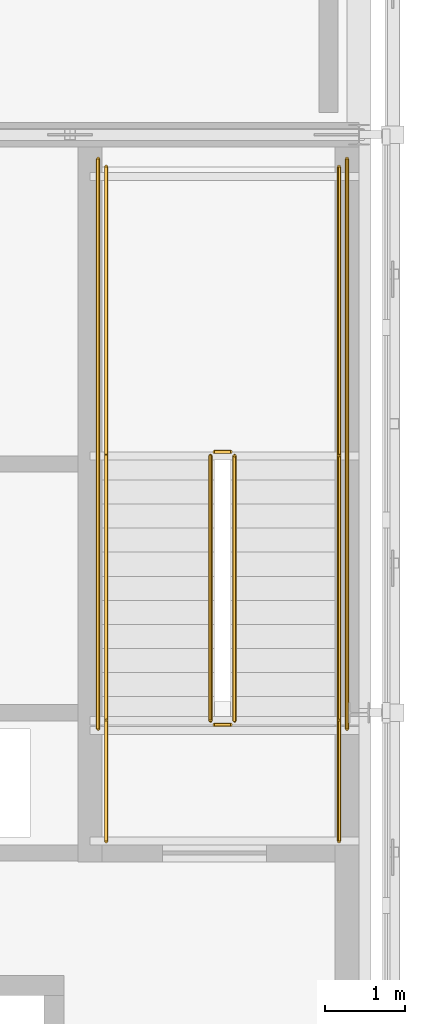
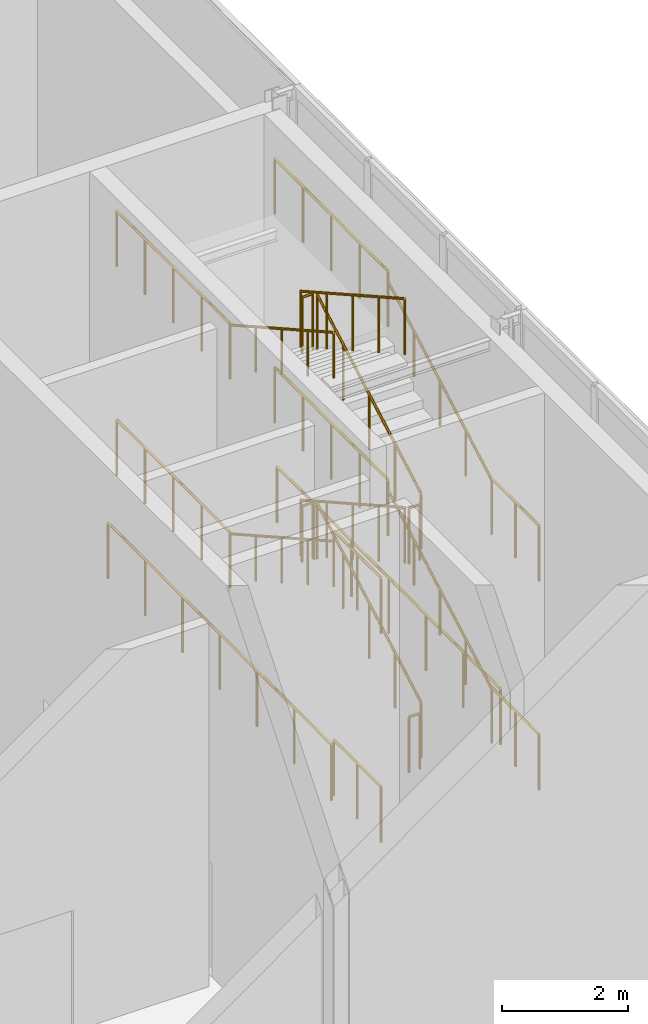
# One storey, part 76 of 76: 22 railings.
"""IFC4 building model written with IfcOpenShell, lengths in metres."""

import ifcopenshell
import ifcopenshell.guid

model = None  # the IFC model being written
_history = None  # IfcOwnerHistory: only IFC2X3 demands one
_inside = {}  # id of a spatial element -> (the spatial element, [elements in it])
_under = {}  # id of a project, library or spatial element -> (it, [spatial elements below it])
_declared = {}  # id of a project -> (the project, [libraries it declares])
_typed = {}  # id of a type object -> (the type object, [elements of that type])
_made_of = {}  # id of a material, layer set ... -> (it, [elements and type objects made of it])


def new_model(schema):
    """Start an empty IFC model of exactly this schema.

    Asked for "IFC4X3", IfcOpenShell would pick the latest addendum, in which some entities
    have other attributes; the version numbers below select the first issue.
    IFC2X3 requires an IfcOwnerHistory on every rooted entity: one is made here for all.
    """
    global model, _history
    if schema == "IFC4X3":
        model = ifcopenshell.file(schema_version=(4, 3, 0, 0))
    else:
        model = ifcopenshell.file(schema=schema)
    _inside.clear()
    _under.clear()
    _declared.clear()
    _typed.clear()
    _made_of.clear()
    _history = None
    if model.schema == "IFC2X3":
        org = make("IfcOrganization", Name="unknown")
        user = make(
            "IfcPersonAndOrganization",
            ThePerson=make("IfcPerson", FamilyName="unknown"),
            TheOrganization=org,
        )
        app = make(
            "IfcApplication",
            ApplicationDeveloper=org,
            Version="unknown",
            ApplicationFullName="unknown",
            ApplicationIdentifier="unknown",
        )
        _history = make(
            "IfcOwnerHistory",
            OwningUser=user,
            OwningApplication=app,
            ChangeAction="ADDED",
            CreationDate=0,
        )
    return model


def make(cls, **values):
    """One entity of the class cls with the attributes given. An attribute that is None is left unset."""
    return model.create_entity(
        cls, **{name: value for name, value in values.items() if value is not None}
    )


def rooted(cls, **values):
    """An entity with a GlobalId (a new one), such as an element, a storey or a relation."""
    return make(cls, GlobalId=ifcopenshell.guid.new(), OwnerHistory=_history, **values)


def si_unit(unit_type, name, prefix=None):
    """IfcSIUnit, for example si_unit("LENGTHUNIT", "METRE", prefix="MILLI")."""
    return make("IfcSIUnit", UnitType=unit_type, Prefix=prefix, Name=name)


def assignment(units):
    """IfcUnitAssignment: the units of a project."""
    return None if units is None else make("IfcUnitAssignment", Units=units)


def point(xyz):
    """IfcCartesianPoint."""
    return None if xyz is None else make("IfcCartesianPoint", Coordinates=xyz)


def direction(xyz):
    """IfcDirection."""
    return None if xyz is None else make("IfcDirection", DirectionRatios=xyz)


def frame(location, z_axis=None, x_axis=None):
    """IfcAxis2Placement3D, a coordinate frame: its origin and axes. An axis left out is left unset."""
    return make(
        "IfcAxis2Placement3D",
        Location=point(location),
        Axis=direction(z_axis),
        RefDirection=direction(x_axis),
    )


def frame_2d(location, x_axis=None):
    """IfcAxis2Placement2D, a coordinate frame in the plane: its origin and x axis."""
    return make(
        "IfcAxis2Placement2D", Location=point(location), RefDirection=direction(x_axis)
    )


def origin():
    """The frame at (0, 0, 0) with its axes left unset."""
    return frame((0.0, 0.0, 0.0))


def origin_2d():
    """The frame at (0, 0) in the plane with its x axis left unset."""
    return frame_2d((0.0, 0.0))


def place(relative_to, where):
    """IfcLocalPlacement: puts the frame where relative to a parent placement (None: the world)."""
    return make(
        "IfcLocalPlacement", PlacementRelTo=relative_to, RelativePlacement=where
    )


def context(
    kind, dimensions, precision=None, world=None, true_north=None, identifier=None
):
    """IfcGeometricRepresentationContext, for example the 3D "Model" context."""
    return make(
        "IfcGeometricRepresentationContext",
        ContextIdentifier=identifier,
        ContextType=kind,
        CoordinateSpaceDimension=dimensions,
        Precision=precision,
        WorldCoordinateSystem=world,
        TrueNorth=true_north,
    )


def subcontext(parent, identifier, kind, view, scale=None):
    """IfcGeometricRepresentationSubContext, for example "Body" below "Model"."""
    return make(
        "IfcGeometricRepresentationSubContext",
        ContextIdentifier=identifier,
        ContextType=kind,
        ParentContext=parent,
        TargetScale=scale,
        TargetView=view,
    )


def project(units=None, contexts=None):
    """IfcProject with its units and contexts."""
    return rooted(
        "IfcProject",
        Name="project",
        RepresentationContexts=contexts,
        UnitsInContext=assignment(units),
    )


def spatial(cls, under=None, at=None, **own):
    """A site, building, storey or space (cls), placed at a placement, below another one or the project."""
    s = rooted(cls, ObjectPlacement=at, **own)
    if under is not None:
        _under.setdefault(under.id(), (under, []))[1].append(s)
    return s


def profile(cls, at=None, kind="AREA", **sizes):
    """A parametric profile (cls). Its sizes go by their IFC names, for example OverallWidth=200.0."""
    return make(cls, ProfileType=kind, Position=at, **sizes)


def circle(**sizes):
    """IfcCircleProfileDef."""
    return profile("IfcCircleProfileDef", **sizes)


def extrude(swept, where, along, depth):
    """IfcExtrudedAreaSolid: the profile swept, set in the frame where, extruded along a direction by depth."""
    return make(
        "IfcExtrudedAreaSolid",
        SweptArea=swept,
        Position=where,
        ExtrudedDirection=direction(along),
        Depth=depth,
    )


def shape(context_of_items, identifier, shape_type, items):
    """IfcShapeRepresentation: the items that make up one representation, for example the "Body"."""
    return make(
        "IfcShapeRepresentation",
        ContextOfItems=context_of_items,
        RepresentationIdentifier=identifier,
        RepresentationType=shape_type,
        Items=items,
    )


def material(Name=None, Category=None):
    """IfcMaterial."""
    return make("IfcMaterial", Name=Name, Category=Category)


def made_of(thing, what):
    """Note that an element or type object is made of a material, layer set ...; save() writes the relation."""
    if what is not None:
        _made_of.setdefault(what.id(), (what, []))[1].append(thing)
    return thing


def type_object(cls, material=None, **own):
    """A type object (cls), such as IfcWallType, which elements share."""
    return made_of(rooted(cls, **own), material)


def element(
    cls,
    number,
    at=None,
    inside=None,
    cuts=None,
    type_object=None,
    material=None,
    context=None,
    identifier="Body",
    shape_type=None,
    held_by="IfcProductDefinitionShape",
    body=None,
    shapes=None,
    **own,
):
    """One element of the class cls, such as IfcWall. Its Tag is "e" and its number.

    at: its placement. inside: the storey or other place that contains it. cuts: it is an
    opening in that element (IfcRelVoidsElement). A single representation is given by context,
    identifier, shape_type and body (its items); several are given by shapes. held_by: the class
    of the entity that holds the representations. save() writes the other relations.
    """
    e = rooted(cls, Tag="e%d" % number, ObjectPlacement=at, **own)
    if body is not None:
        shapes = [shape(context, identifier, shape_type, body)]
    if shapes is not None:
        e.Representation = make(held_by, Representations=shapes)
    if inside is not None:
        _inside.setdefault(inside.id(), (inside, []))[1].append(e)
    if cuts is not None:
        rooted(
            "IfcRelVoidsElement", RelatingBuildingElement=cuts, RelatedOpeningElement=e
        )
    if type_object is not None:
        _typed.setdefault(type_object.id(), (type_object, []))[1].append(e)
    return made_of(e, material)


def aggregate(whole, parts):
    """IfcRelAggregates: a whole, such as a stair, and the parts it consists of."""
    return rooted("IfcRelAggregates", RelatingObject=whole, RelatedObjects=parts)


def save(model, path):
    """Write the relations noted so far, then the file.

    IfcRelAggregates (storeys below a building ...), IfcRelContainedInSpatialStructure (elements
    in a storey), IfcRelDefinesByType, IfcRelAssociatesMaterial and IfcRelDeclares: one each for
    every whole, place, type object, material and project.
    """
    for whole, parts in _under.values():
        aggregate(whole, parts)
    for where, things in _inside.values():
        rooted(
            "IfcRelContainedInSpatialStructure",
            RelatedElements=things,
            RelatingStructure=where,
        )
    for kind, things in _typed.values():
        rooted("IfcRelDefinesByType", RelatedObjects=things, RelatingType=kind)
    for what, things in _made_of.values():
        rooted("IfcRelAssociatesMaterial", RelatedObjects=things, RelatingMaterial=what)
    for by, libraries in _declared.values():
        rooted("IfcRelDeclares", RelatingContext=by, RelatedDefinitions=libraries)
    model.write(path)


model = new_model("IFC4")

# Units and contexts
model_context = context("Model", 3, precision=1e-05, world=origin(), true_north=direction((0.0, 1.0)))
body_context = subcontext(model_context, "Body", "Model", "MODEL_VIEW")
ifc_project = project(units=[si_unit("LENGTHUNIT", "METRE"), si_unit("AREAUNIT", "SQUARE_METRE"), si_unit("VOLUMEUNIT", "CUBIC_METRE"), si_unit("PLANEANGLEUNIT", "RADIAN"), si_unit("MASSUNIT", "GRAM", prefix="KILO")], contexts=[model_context])

# Site, building, storey
site_placement = place(None, origin())
site = spatial("IfcSite", under=ifc_project, at=site_placement, CompositionType="ELEMENT")
building_placement = place(site_placement, origin())
building = spatial("IfcBuilding", under=site, at=building_placement, Name="Zlatovets Crest Museum", CompositionType="ELEMENT")
storey_placement = place(building_placement, frame((0.0, 0.0, 17.10009765625)))
storey = spatial("IfcBuildingStorey", under=building, at=storey_placement, Name="L04", CompositionType="ELEMENT", Elevation=17.10009765625)

# Railings
ifc_material_1 = material(Name="Painted steel safety guardrail", Category="steel")
railing_type_1 = type_object("IfcRailingType", Name="StairGuard_SG01", PredefinedType="GUARDRAIL", material=ifc_material_1)
railing_1_placement = place(storey_placement, frame((106.449951171875, 100.699951171875, 0.168701171875)))
element("IfcRailing", 1, at=railing_1_placement, inside=storey, type_object=railing_type_1, Name="L04 ST7 stair guard 1", PredefinedType="GUARDRAIL", context=body_context, shape_type="SweptSolid", body=[
    extrude(circle(Radius=0.02392578125, at=origin_2d()), frame((0.0, 0.0, 1.076171875), z_axis=(0.0, 0.871584147158, 0.490245932592), x_axis=(-1.0, 0.0, 0.0)), (0.0, 0.0, 1.0), 3.786376953125),
    extrude(circle(Radius=0.02099609375, at=origin_2d()), origin(), (0.0, 0.0, 1.0), 1.052001953125),
    extrude(circle(Radius=0.02099609375, at=origin_2d()), frame((0.0, 0.824951171875, 0.464111328125)), (0.0, 0.0, 1.0), 1.052001953125),
    extrude(circle(Radius=0.02099609375, at=origin_2d()), frame((0.0, 1.64990234375, 0.92822265625)), (0.0, 0.0, 1.0), 1.052001953125),
    extrude(circle(Radius=0.02099609375, at=origin_2d()), frame((0.0, 2.47509765625, 1.39208984375)), (0.0, 0.0, 1.0), 1.052001953125),
    extrude(circle(Radius=0.02099609375, at=origin_2d()), frame((0.0, 3.300048828125, 1.856201171875)), (0.0, 0.0, 1.0), 1.052001953125),
])
railing_2_placement = place(storey_placement, frame((106.39990234375, 104.050048828125, 2.02490234375)))
element("IfcRailing", 2, at=railing_2_placement, inside=storey, type_object=railing_type_1, Name="L04 ST7 stair guard 2", PredefinedType="GUARDRAIL", context=body_context, shape_type="SweptSolid", body=[
    extrude(circle(Radius=0.02392578125, at=origin_2d()), frame((0.0, 0.0, 1.076171875), z_axis=(-1.0, 0.0, 0.0), x_axis=(0.0, -1.0, 0.0)), (0.0, 0.0, 1.0), 0.199951171875),
    extrude(circle(Radius=0.02099609375, at=origin_2d()), origin(), (0.0, 0.0, 1.0), 1.052001953125),
    extrude(circle(Radius=0.02099609375, at=origin_2d()), frame((-0.199951171875, 0.0, 0.0)), (0.0, 0.0, 1.0), 1.052001953125),
])
for number, where, name in (
    (3, (107.75, 104.0, 2.02490234375), "L04 ST7 stair guard 3"),
    (4, (104.85009765625, 104.0, 2.02490234375), "L04 ST7 stair guard 4"),
):
    element("IfcRailing", number, at=place(storey_placement, frame(where)), inside=storey, type_object=railing_type_1, Name=name, PredefinedType="GUARDRAIL", context=body_context, shape_type="SweptSolid", body=[
        extrude(circle(Radius=0.02392578125, at=origin_2d()), frame((0.0, 0.0, 1.076171875), z_axis=(0.0, 1.0, 0.0), x_axis=(-1.0, 0.0, 0.0)), (0.0, 0.0, 1.0), 3.60009765625),
        extrude(circle(Radius=0.02099609375, at=origin_2d()), origin(), (0.0, 0.0, 1.0), 1.052001953125),
        extrude(circle(Radius=0.02099609375, at=origin_2d()), frame((0.0, 0.89990234375, 0.0)), (0.0, 0.0, 1.0), 1.052001953125),
        extrude(circle(Radius=0.02099609375, at=origin_2d()), frame((0.0, 1.800048828125, 0.0)), (0.0, 0.0, 1.0), 1.052001953125),
        extrude(circle(Radius=0.02099609375, at=origin_2d()), frame((0.0, 2.7001953125, 0.0)), (0.0, 0.0, 1.0), 1.052001953125),
        extrude(circle(Radius=0.02099609375, at=origin_2d()), frame((0.0, 3.60009765625, 0.0)), (0.0, 0.0, 1.0), 1.052001953125),
    ])
railing_3_placement = place(storey_placement, frame((106.14990234375, 104.0, 2.193603515625)))
element("IfcRailing", 5, at=railing_3_placement, inside=storey, type_object=railing_type_1, Name="L04 ST7 stair guard 5", PredefinedType="GUARDRAIL", context=body_context, shape_type="SweptSolid", body=[
    extrude(circle(Radius=0.02392578125, at=origin_2d()), frame((0.0, 0.0, 1.076171875), z_axis=(0.0, -0.871584147158, 0.490245932592), x_axis=(1.0, 0.0, 0.0)), (0.0, 0.0, 1.0), 3.786376953125),
    extrude(circle(Radius=0.02099609375, at=origin_2d()), origin(), (0.0, 0.0, 1.0), 1.052001953125),
    extrude(circle(Radius=0.02099609375, at=origin_2d()), frame((0.0, -0.824951171875, 0.464111328125)), (0.0, 0.0, 1.0), 1.052001953125),
    extrude(circle(Radius=0.02099609375, at=origin_2d()), frame((0.0, -1.64990234375, 0.92822265625)), (0.0, 0.0, 1.0), 1.052001953125),
    extrude(circle(Radius=0.02099609375, at=origin_2d()), frame((0.0, -2.47509765625, 1.39208984375)), (0.0, 0.0, 1.0), 1.052001953125),
    extrude(circle(Radius=0.02099609375, at=origin_2d()), frame((0.0, -3.300048828125, 1.856201171875)), (0.0, 0.0, 1.0), 1.052001953125),
])
railing_4_placement = place(storey_placement, frame((106.39990234375, 100.64990234375, 4.0498046875)))
element("IfcRailing", 6, at=railing_4_placement, inside=storey, type_object=railing_type_1, Name="L04 ST7 stair guard 6", PredefinedType="GUARDRAIL", context=body_context, shape_type="SweptSolid", body=[
    extrude(circle(Radius=0.02392578125, at=origin_2d()), frame((0.0, 0.0, 1.076171875), z_axis=(-1.0, 0.0, 0.0), x_axis=(0.0, -1.0, 0.0)), (0.0, 0.0, 1.0), 0.199951171875),
    extrude(circle(Radius=0.02099609375, at=origin_2d()), origin(), (0.0, 0.0, 1.0), 1.052001953125),
    extrude(circle(Radius=0.02099609375, at=origin_2d()), frame((-0.199951171875, 0.0, 0.0)), (0.0, 0.0, 1.0), 1.052001953125),
])
for number, where, name in (
    (7, (107.75, 99.199951171875, 4.0498046875), "L04 ST7 stair guard 7"),
    (8, (104.85009765625, 99.199951171875, 4.0498046875), "L04 ST7 stair guard 8"),
):
    element("IfcRailing", number, at=place(storey_placement, frame(where)), inside=storey, type_object=railing_type_1, Name=name, PredefinedType="GUARDRAIL", context=body_context, shape_type="SweptSolid", body=[
        extrude(circle(Radius=0.02392578125, at=origin_2d()), frame((0.0, 0.0, 1.076171875), z_axis=(0.0, 1.0, 0.0), x_axis=(-1.0, 0.0, 0.0)), (0.0, 0.0, 1.0), 1.5),
        extrude(circle(Radius=0.02099609375, at=origin_2d()), origin(), (0.0, 0.0, 1.0), 1.052001953125),
        extrude(circle(Radius=0.02099609375, at=origin_2d()), frame((0.0, 0.75, 0.0)), (0.0, 0.0, 1.0), 1.052001953125),
        extrude(circle(Radius=0.02099609375, at=origin_2d()), frame((0.0, 1.5, 0.0)), (0.0, 0.0, 1.0), 1.052001953125),
    ])
railing_5_placement = place(storey_placement, frame((106.449951171875, 100.699951171875, 4.21875)))
element("IfcRailing", 9, at=railing_5_placement, inside=storey, type_object=railing_type_1, Name="L04 ST7 stair guard 9", PredefinedType="GUARDRAIL", context=body_context, shape_type="SweptSolid", body=[
    extrude(circle(Radius=0.02392578125, at=origin_2d()), frame((0.0, 0.0, 1.076171875), z_axis=(0.0, 0.871584147158, 0.490245932592), x_axis=(-1.0, 0.0, 0.0)), (0.0, 0.0, 1.0), 3.786376953125),
    extrude(circle(Radius=0.02099609375, at=origin_2d()), origin(), (0.0, 0.0, 1.0), 1.052001953125),
    extrude(circle(Radius=0.02099609375, at=origin_2d()), frame((0.0, 0.824951171875, 0.464111328125)), (0.0, 0.0, 1.0), 1.052001953125),
    extrude(circle(Radius=0.02099609375, at=origin_2d()), frame((0.0, 1.64990234375, 0.92822265625)), (0.0, 0.0, 1.0), 1.052001953125),
    extrude(circle(Radius=0.02099609375, at=origin_2d()), frame((0.0, 2.47509765625, 1.39208984375)), (0.0, 0.0, 1.0), 1.052001953125),
    extrude(circle(Radius=0.02099609375, at=origin_2d()), frame((0.0, 3.300048828125, 1.856201171875)), (0.0, 0.0, 1.0), 1.052001953125),
])
railing_6_placement = place(storey_placement, frame((106.39990234375, 104.050048828125, 6.074951171875)))
element("IfcRailing", 10, at=railing_6_placement, inside=storey, type_object=railing_type_1, Name="L04 ST7 stair guard 10", PredefinedType="GUARDRAIL", context=body_context, shape_type="SweptSolid", body=[
    extrude(circle(Radius=0.02392578125, at=origin_2d()), frame((0.0, 0.0, 1.076171875), z_axis=(-1.0, 0.0, 0.0), x_axis=(0.0, -1.0, 0.0)), (0.0, 0.0, 1.0), 0.199951171875),
    extrude(circle(Radius=0.02099609375, at=origin_2d()), origin(), (0.0, 0.0, 1.0), 1.052001953125),
    extrude(circle(Radius=0.02099609375, at=origin_2d()), frame((-0.199951171875, 0.0, 0.0)), (0.0, 0.0, 1.0), 1.052001953125),
])
for number, where, name in (
    (11, (107.75, 104.0, 6.074951171875), "L04 ST7 stair guard 11"),
    (12, (104.85009765625, 104.0, 6.074951171875), "L04 ST7 stair guard 12"),
):
    element("IfcRailing", number, at=place(storey_placement, frame(where)), inside=storey, type_object=railing_type_1, Name=name, PredefinedType="GUARDRAIL", context=body_context, shape_type="SweptSolid", body=[
        extrude(circle(Radius=0.02392578125, at=origin_2d()), frame((0.0, 0.0, 1.076171875), z_axis=(0.0, 1.0, 0.0), x_axis=(-1.0, 0.0, 0.0)), (0.0, 0.0, 1.0), 3.60009765625),
        extrude(circle(Radius=0.02099609375, at=origin_2d()), origin(), (0.0, 0.0, 1.0), 1.052001953125),
        extrude(circle(Radius=0.02099609375, at=origin_2d()), frame((0.0, 0.89990234375, 0.0)), (0.0, 0.0, 1.0), 1.052001953125),
        extrude(circle(Radius=0.02099609375, at=origin_2d()), frame((0.0, 1.800048828125, 0.0)), (0.0, 0.0, 1.0), 1.052001953125),
        extrude(circle(Radius=0.02099609375, at=origin_2d()), frame((0.0, 2.7001953125, 0.0)), (0.0, 0.0, 1.0), 1.052001953125),
        extrude(circle(Radius=0.02099609375, at=origin_2d()), frame((0.0, 3.60009765625, 0.0)), (0.0, 0.0, 1.0), 1.052001953125),
    ])
railing_7_placement = place(storey_placement, frame((106.14990234375, 104.0, 6.24365234375)))
element("IfcRailing", 13, at=railing_7_placement, inside=storey, type_object=railing_type_1, Name="L04 ST7 stair guard 13", PredefinedType="GUARDRAIL", context=body_context, shape_type="SweptSolid", body=[
    extrude(circle(Radius=0.02392578125, at=origin_2d()), frame((0.0, 0.0, 1.076171875), z_axis=(0.0, -0.871584147158, 0.490245932592), x_axis=(1.0, 0.0, 0.0)), (0.0, 0.0, 1.0), 3.786376953125),
    extrude(circle(Radius=0.02099609375, at=origin_2d()), origin(), (0.0, 0.0, 1.0), 1.052001953125),
    extrude(circle(Radius=0.02099609375, at=origin_2d()), frame((0.0, -0.824951171875, 0.464111328125)), (0.0, 0.0, 1.0), 1.052001953125),
    extrude(circle(Radius=0.02099609375, at=origin_2d()), frame((0.0, -1.64990234375, 0.92822265625)), (0.0, 0.0, 1.0), 1.052001953125),
    extrude(circle(Radius=0.02099609375, at=origin_2d()), frame((0.0, -2.47509765625, 1.39208984375)), (0.0, 0.0, 1.0), 1.052001953125),
    extrude(circle(Radius=0.02099609375, at=origin_2d()), frame((0.0, -3.300048828125, 1.856201171875)), (0.0, 0.0, 1.0), 1.052001953125),
])
railing_8_placement = place(storey_placement, frame((106.39990234375, 100.64990234375, 0.0)))
element("IfcRailing", 14, at=railing_8_placement, inside=storey, type_object=railing_type_1, Name="L04 ST7 stair guard 14", PredefinedType="GUARDRAIL", context=body_context, shape_type="SweptSolid", body=[
    extrude(circle(Radius=0.02392578125, at=origin_2d()), frame((0.0, 0.0, 1.076171875), z_axis=(-1.0, 0.0, 0.0), x_axis=(0.0, -1.0, 0.0)), (0.0, 0.0, 1.0), 0.199951171875),
    extrude(circle(Radius=0.02099609375, at=origin_2d()), origin(), (0.0, 0.0, 1.0), 1.052001953125),
    extrude(circle(Radius=0.02099609375, at=origin_2d()), frame((-0.199951171875, 0.0, 0.0)), (0.0, 0.0, 1.0), 1.052001953125),
])
for number, where, name in (
    (15, (107.75, 99.199951171875, 0.0), "L04 ST7 stair guard 15"),
    (16, (104.85009765625, 99.199951171875, 0.0), "L04 ST7 stair guard 16"),
):
    element("IfcRailing", number, at=place(storey_placement, frame(where)), inside=storey, type_object=railing_type_1, Name=name, PredefinedType="GUARDRAIL", context=body_context, shape_type="SweptSolid", body=[
        extrude(circle(Radius=0.02392578125, at=origin_2d()), frame((0.0, 0.0, 1.076171875), z_axis=(0.0, 1.0, 0.0), x_axis=(-1.0, 0.0, 0.0)), (0.0, 0.0, 1.0), 1.5),
        extrude(circle(Radius=0.02099609375, at=origin_2d()), origin(), (0.0, 0.0, 1.0), 1.052001953125),
        extrude(circle(Radius=0.02099609375, at=origin_2d()), frame((0.0, 0.75, 0.0)), (0.0, 0.0, 1.0), 1.052001953125),
        extrude(circle(Radius=0.02099609375, at=origin_2d()), frame((0.0, 1.5, 0.0)), (0.0, 0.0, 1.0), 1.052001953125),
    ])
for number, where, name in (
    (17, (107.85009765625, 100.60009765625, 0.0), "L04 ST7 stair guard 17"),
    (18, (104.75, 100.60009765625, 0.0), "L04 ST7 stair guard 18"),
):
    element("IfcRailing", number, at=place(storey_placement, frame(where)), inside=storey, type_object=railing_type_1, Name=name, PredefinedType="GUARDRAIL", context=body_context, shape_type="SweptSolid", body=[
        extrude(circle(Radius=0.02392578125, at=origin_2d()), frame((0.0, 0.0, 1.076171875), z_axis=(0.0, 1.0, 0.0), x_axis=(-1.0, 0.0, 0.0)), (0.0, 0.0, 1.0), 7.099853515625),
        extrude(circle(Radius=0.02099609375, at=origin_2d()), origin(), (0.0, 0.0, 1.0), 1.052001953125),
        extrude(circle(Radius=0.02099609375, at=origin_2d()), frame((0.0, 1.183349609375, 0.0)), (0.0, 0.0, 1.0), 1.052001953125),
        extrude(circle(Radius=0.02099609375, at=origin_2d()), frame((0.0, 2.36669921875, 0.0)), (0.0, 0.0, 1.0), 1.052001953125),
        extrude(circle(Radius=0.02099609375, at=origin_2d()), frame((0.0, 3.5498046875, 0.0)), (0.0, 0.0, 1.0), 1.052001953125),
        extrude(circle(Radius=0.02099609375, at=origin_2d()), frame((0.0, 4.733154296875, 0.0)), (0.0, 0.0, 1.0), 1.052001953125),
        extrude(circle(Radius=0.02099609375, at=origin_2d()), frame((0.0, 5.91650390625, 0.0)), (0.0, 0.0, 1.0), 1.052001953125),
        extrude(circle(Radius=0.02099609375, at=origin_2d()), frame((0.0, 7.099853515625, 0.0)), (0.0, 0.0, 1.0), 1.052001953125),
    ])
ifc_material_2 = material(Name="Brushed bronze stair handrail")
railing_type_2 = type_object("IfcRailingType", Name="StairHandrail_SH01", PredefinedType="HANDRAIL", material=ifc_material_2)
railing_9_placement = place(storey_placement, frame((107.75, 100.699951171875, 0.168701171875)))
element("IfcRailing", 19, at=railing_9_placement, inside=storey, type_object=railing_type_2, Name="L04 ST7 stair handrail 1", PredefinedType="HANDRAIL", context=body_context, shape_type="SweptSolid", body=[
    extrude(circle(Radius=0.02392578125, at=origin_2d()), frame((0.0, 0.0, 0.8759765625), z_axis=(0.0, 0.871584147158, 0.490245932592), x_axis=(-1.0, 0.0, 0.0)), (0.0, 0.0, 1.0), 3.786376953125),
    extrude(circle(Radius=0.02099609375, at=origin_2d()), origin(), (0.0, 0.0, 1.0), 0.851806640625),
    extrude(circle(Radius=0.02099609375, at=origin_2d()), frame((0.0, 0.824951171875, 0.464111328125)), (0.0, 0.0, 1.0), 0.851806640625),
    extrude(circle(Radius=0.02099609375, at=origin_2d()), frame((0.0, 1.64990234375, 0.92822265625)), (0.0, 0.0, 1.0), 0.851806640625),
    extrude(circle(Radius=0.02099609375, at=origin_2d()), frame((0.0, 2.47509765625, 1.39208984375)), (0.0, 0.0, 1.0), 0.851806640625),
    extrude(circle(Radius=0.02099609375, at=origin_2d()), frame((0.0, 3.300048828125, 1.856201171875)), (0.0, 0.0, 1.0), 0.851806640625),
])
railing_10_placement = place(storey_placement, frame((104.85009765625, 104.0, 2.193603515625)))
element("IfcRailing", 20, at=railing_10_placement, inside=storey, type_object=railing_type_2, Name="L04 ST7 stair handrail 2", PredefinedType="HANDRAIL", context=body_context, shape_type="SweptSolid", body=[
    extrude(circle(Radius=0.02392578125, at=origin_2d()), frame((0.0, 0.0, 0.8759765625), z_axis=(0.0, -0.871584147158, 0.490245932592), x_axis=(1.0, 0.0, 0.0)), (0.0, 0.0, 1.0), 3.786376953125),
    extrude(circle(Radius=0.02099609375, at=origin_2d()), origin(), (0.0, 0.0, 1.0), 0.851806640625),
    extrude(circle(Radius=0.02099609375, at=origin_2d()), frame((0.0, -0.824951171875, 0.464111328125)), (0.0, 0.0, 1.0), 0.851806640625),
    extrude(circle(Radius=0.02099609375, at=origin_2d()), frame((0.0, -1.64990234375, 0.92822265625)), (0.0, 0.0, 1.0), 0.851806640625),
    extrude(circle(Radius=0.02099609375, at=origin_2d()), frame((0.0, -2.47509765625, 1.39208984375)), (0.0, 0.0, 1.0), 0.851806640625),
    extrude(circle(Radius=0.02099609375, at=origin_2d()), frame((0.0, -3.300048828125, 1.856201171875)), (0.0, 0.0, 1.0), 0.851806640625),
])
railing_11_placement = place(storey_placement, frame((107.75, 100.699951171875, 4.21875)))
element("IfcRailing", 21, at=railing_11_placement, inside=storey, type_object=railing_type_2, Name="L04 ST7 stair handrail 3", PredefinedType="HANDRAIL", context=body_context, shape_type="SweptSolid", body=[
    extrude(circle(Radius=0.02392578125, at=origin_2d()), frame((0.0, 0.0, 0.8759765625), z_axis=(0.0, 0.871584147158, 0.490245932592), x_axis=(-1.0, 0.0, 0.0)), (0.0, 0.0, 1.0), 3.786376953125),
    extrude(circle(Radius=0.02099609375, at=origin_2d()), origin(), (0.0, 0.0, 1.0), 0.851806640625),
    extrude(circle(Radius=0.02099609375, at=origin_2d()), frame((0.0, 0.824951171875, 0.464111328125)), (0.0, 0.0, 1.0), 0.851806640625),
    extrude(circle(Radius=0.02099609375, at=origin_2d()), frame((0.0, 1.64990234375, 0.92822265625)), (0.0, 0.0, 1.0), 0.851806640625),
    extrude(circle(Radius=0.02099609375, at=origin_2d()), frame((0.0, 2.47509765625, 1.39208984375)), (0.0, 0.0, 1.0), 0.851806640625),
    extrude(circle(Radius=0.02099609375, at=origin_2d()), frame((0.0, 3.300048828125, 1.856201171875)), (0.0, 0.0, 1.0), 0.851806640625),
])
railing_12_placement = place(storey_placement, frame((104.85009765625, 104.0, 6.24365234375)))
element("IfcRailing", 22, at=railing_12_placement, inside=storey, type_object=railing_type_2, Name="L04 ST7 stair handrail 4", PredefinedType="HANDRAIL", context=body_context, shape_type="SweptSolid", body=[
    extrude(circle(Radius=0.02392578125, at=origin_2d()), frame((0.0, 0.0, 0.8759765625), z_axis=(0.0, -0.871584147158, 0.490245932592), x_axis=(1.0, 0.0, 0.0)), (0.0, 0.0, 1.0), 3.786376953125),
    extrude(circle(Radius=0.02099609375, at=origin_2d()), origin(), (0.0, 0.0, 1.0), 0.851806640625),
    extrude(circle(Radius=0.02099609375, at=origin_2d()), frame((0.0, -0.824951171875, 0.464111328125)), (0.0, 0.0, 1.0), 0.851806640625),
    extrude(circle(Radius=0.02099609375, at=origin_2d()), frame((0.0, -1.64990234375, 0.92822265625)), (0.0, 0.0, 1.0), 0.851806640625),
    extrude(circle(Radius=0.02099609375, at=origin_2d()), frame((0.0, -2.47509765625, 1.39208984375)), (0.0, 0.0, 1.0), 0.851806640625),
    extrude(circle(Radius=0.02099609375, at=origin_2d()), frame((0.0, -3.300048828125, 1.856201171875)), (0.0, 0.0, 1.0), 0.851806640625),
])

save(model, "model.ifc")
